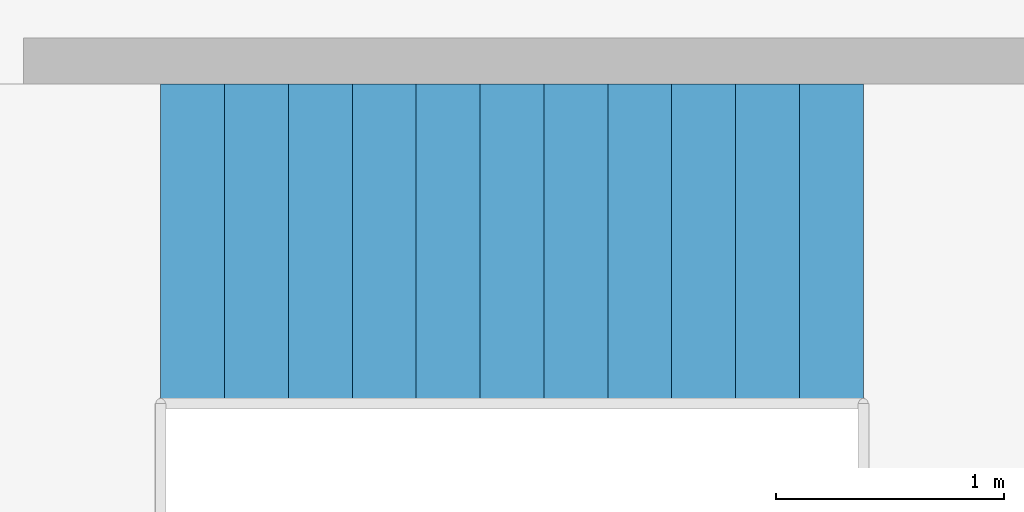
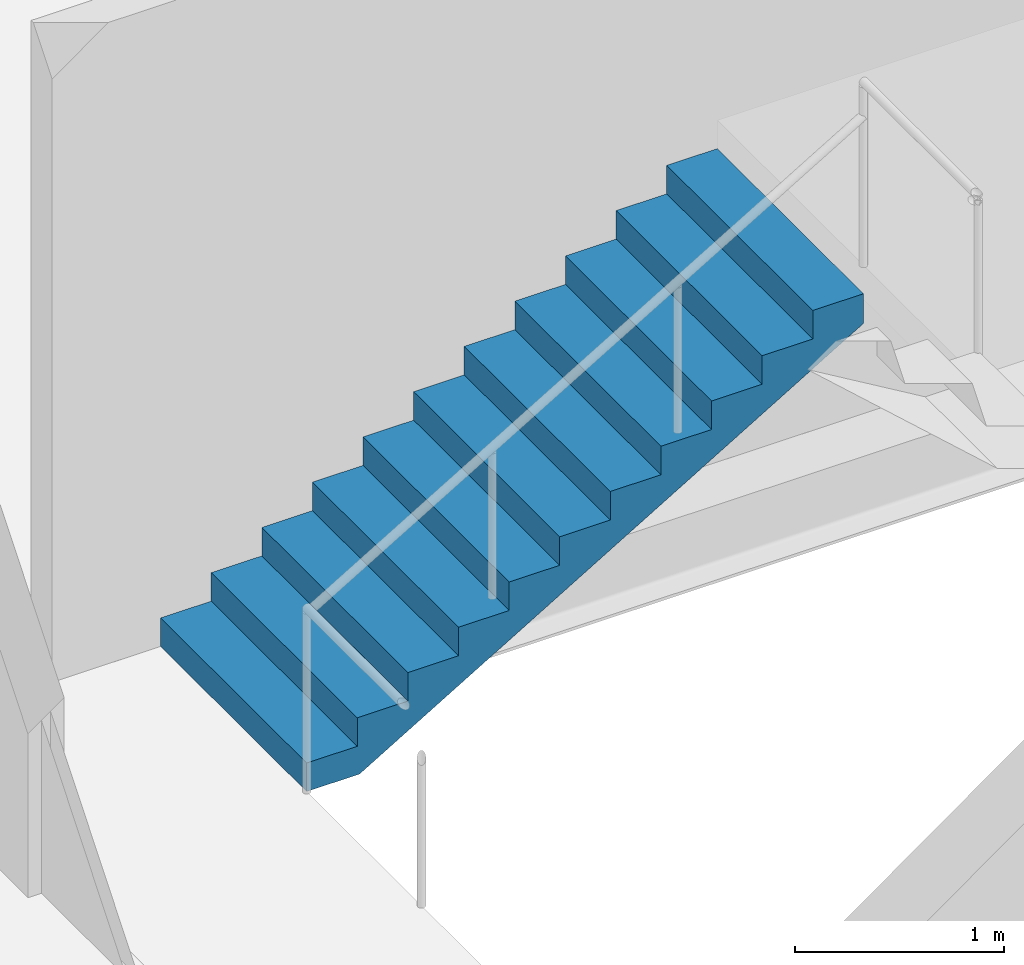
# One storey, part 11 of 12: 1 stair flight, 1 element without a shape of its own.
"""IFC4 building model written with IfcOpenShell, lengths in metres."""

from ifc_helpers import new_model, si_unit, direction, frame, origin, place, context, subcontext, project, spatial, polyline, outline, extrude, material, type_object, element, aggregate, save


model = new_model("IFC4")

# Units and contexts
model_context = context("Model", 3, precision=1e-05, world=origin(), true_north=direction((0.0, 1.0)))
body_context = subcontext(model_context, "Body", "Model", "MODEL_VIEW")
ifc_project = project(units=[si_unit("LENGTHUNIT", "METRE"), si_unit("AREAUNIT", "SQUARE_METRE"), si_unit("VOLUMEUNIT", "CUBIC_METRE"), si_unit("PLANEANGLEUNIT", "RADIAN"), si_unit("MASSUNIT", "GRAM", prefix="KILO")], contexts=[model_context])

# Site, building, storey
site_placement = place(None, origin())
site = spatial("IfcSite", under=ifc_project, at=site_placement, CompositionType="ELEMENT")
building_placement = place(site_placement, origin())
building = spatial("IfcBuilding", under=site, at=building_placement, Name="Malebo Sky Hospital", CompositionType="ELEMENT")
storey_placement = place(building_placement, frame((0.0, 0.0, 270.0)))
storey = spatial("IfcBuildingStorey", under=building, at=storey_placement, Name="L65", CompositionType="ELEMENT", Elevation=270.0)

# Stair, stair flight
ifc_material = material(Name="Concrete C40/50", Category="concrete")
stair_type = type_object("IfcStairType", Name="HALF-TURN STAIR 1400 R167", PredefinedType="HALF_TURN_STAIR", material=ifc_material)
stair_placement = place(storey_placement, origin())
stair = element("IfcStair", 1, at=stair_placement, inside=storey, type_object=stair_type, Name="Stair S3 L65 type ST1B", PredefinedType="HALF_TURN_STAIR")
stair_flight_type = type_object("IfcStairFlightType", Name="STAIR FLIGHT 1400 R167", PredefinedType="STRAIGHT", material=ifc_material)
stair_flight_placement = place(storey_placement, frame((74.60009765625, 74.300048828125, 0.0), z_axis=(0.0, 0.0, 1.0), x_axis=(1.0, 0.0, 0.0)))
stair_flight = element("IfcStairFlight", 2, at=stair_flight_placement, type_object=stair_flight_type, Name="S3 flight 1 type SF1B", NumberOfRisers=12, NumberOfTreads=11, PredefinedType="STRAIGHT", RiserHeight=0.166666667, TreadLength=0.28, context=body_context, shape_type="SweptSolid", body=[
    extrude(outline(polyline([(0.0, 0.0), (0.0, 0.166748046875), (0.280029296875, 0.166748046875), (0.280029296875, 0.333251953125), (0.56005859375, 0.333251953125), (0.56005859375, 0.5), (0.840087890625, 0.5), (0.840087890625, 0.666748046875), (1.1201171875, 0.666748046875), (1.1201171875, 0.833251953125), (1.39990234375, 0.833251953125), (1.39990234375, 1.0), (1.679931640625, 1.0), (1.679931640625, 1.166748046875), (1.9599609375, 1.166748046875), (1.9599609375, 1.333251953125), (2.239990234375, 1.333251953125), (2.239990234375, 1.5), (2.52001953125, 1.5), (2.52001953125, 1.666748046875), (2.800048828125, 1.666748046875), (2.800048828125, 1.833251953125), (3.080078125, 1.833251953125), (3.080078125, 2.0), (3.080078125, 1.658935546875), (0.29296875, 0.0), (0.0, 0.0)])), frame((0.0, 0.699951171875, 0.0), z_axis=(0.0, -1.0, 0.0), x_axis=(1.0, 0.0, 0.0)), (0.0, 0.0, 1.0), 1.39990234375),
])
aggregate(stair, [stair_flight])

save(model, "model.ifc")
